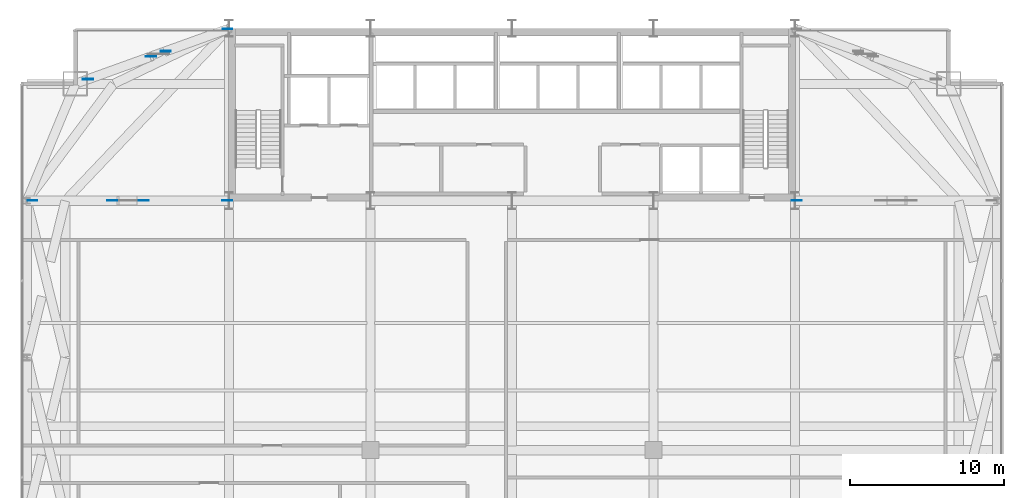
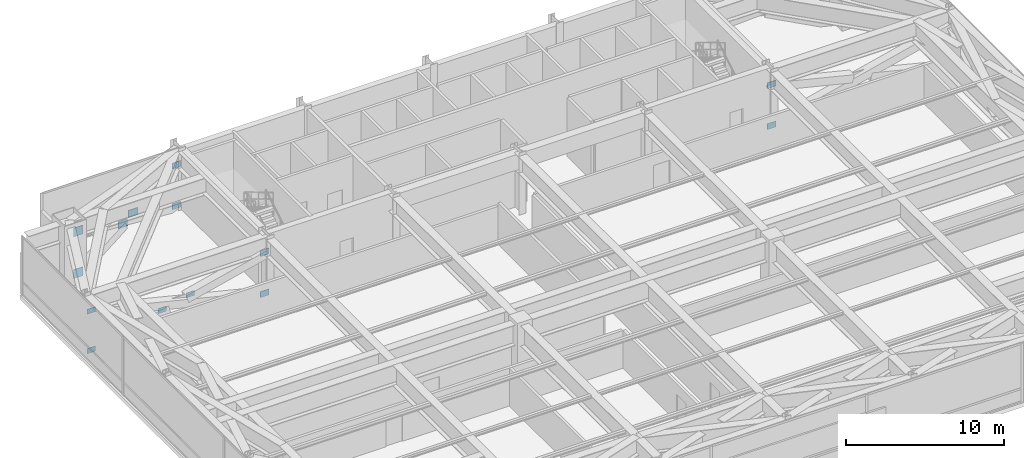
# One storey, part 26 of 30: 14 plates.
"""IFC4 building model written with IfcOpenShell, lengths in metres."""

from ifc_helpers import new_model, si_unit, direction, frame, origin, origin_2d, place, context, subcontext, project, spatial, rectangle, extrude, source, transform, mapped, material, layer, layer_set, type_object, type_shapes, element, save


model = new_model("IFC4")

# Units and contexts
model_context = context("Model", 3, precision=1e-05, world=origin(), true_north=direction((0.0, 1.0)))
body_context = subcontext(model_context, "Body", "Model", "MODEL_VIEW")
ifc_project = project(units=[si_unit("LENGTHUNIT", "METRE"), si_unit("AREAUNIT", "SQUARE_METRE"), si_unit("VOLUMEUNIT", "CUBIC_METRE"), si_unit("PLANEANGLEUNIT", "RADIAN"), si_unit("MASSUNIT", "GRAM", prefix="KILO")], contexts=[model_context])

# Site, building, storey
site_placement = place(None, origin())
site = spatial("IfcSite", under=ifc_project, at=site_placement, CompositionType="ELEMENT")
building_placement = place(site_placement, origin())
building = spatial("IfcBuilding", under=site, at=building_placement, Name="Varnel Quay Broadcast Tower", CompositionType="ELEMENT")
storey_placement = place(building_placement, frame((0.0, 0.0, 82.199951171875)))
storey = spatial("IfcBuildingStorey", under=building, at=storey_placement, Name="L19", CompositionType="ELEMENT", Elevation=82.199951171875)

# Plates
ifc_material = material(Name="Structural Steel CSA G40.21 350WT", Category="steel")
ifc_layer_1 = layer(ifc_material, 0.0400390625, Name="Structural Steel CSA G40.21 350WT")
ifc_layer_set_1 = layer_set([ifc_layer_1], Name="Structural Steel CSA G40.21 350WT")
plate_type_1 = type_object("IfcPlateType", Name="Plate_EmbedPlate", PredefinedType="USERDEFINED", material=ifc_layer_set_1)
shared_shape_1 = source(origin(), body_context, "Body", "SweptSolid", [
    extrude(rectangle(XDim=0.639892578125, YDim=0.0400390625, at=origin_2d()), origin(), (0.0, 0.0, 1.0), 0.449951171875),
])
type_shapes(plate_type_1, [shared_shape_1])
for number, where, z_axis, x_axis, name in (
    (1, (15.492919921875, 46.761474609375, -0.16748046875), (0.0, 0.0, 1.0), (1.0, 0.0, 0.0), "L19 Outrigger NW Diag A Wall Cast-In Embed Plate P0"),
    (2, (15.492919921875, 46.761474609375, 2.9775390625), (0.0, 0.0, 1.0), (1.0, 0.0, 0.0), "L19 Outrigger NW Diag B2 Wall Cast-In Embed Plate P1"),
    (3, (15.4833984375, 35.60009765625, -0.17626953125), (0.0, 0.0, 1.0), (1.0, 0.0, 0.0), "L19 Outrigger W Diag A Wall Cast-In Embed Plate P0"),
    (4, (15.4833984375, 35.60009765625, 2.98681640625), (0.0, 0.0, 1.0), (1.0, 0.0, 0.0), "L19 Outrigger W Diag B2 Wall Cast-In Embed Plate P1"),
    (5, (52.5166015625, 35.60009765625, -0.17626953125), (0.0, 0.0, 1.0), (1.0, 0.0, 0.0), "L19 Outrigger E Diag A Wall Cast-In Embed Plate P0"),
    (6, (52.5166015625, 35.60009765625, 2.98681640625), (0.0, 0.0, 1.0), (1.0, 0.0, 0.0), "L19 Outrigger E Diag B2 Wall Cast-In Embed Plate P1"),
):
    element("IfcPlate", number, at=place(storey_placement, frame(where, z_axis=z_axis, x_axis=x_axis)), inside=storey, type_object=plate_type_1, Name=name, ObjectType="EMBED_PLATE", PredefinedType="USERDEFINED", context=body_context, shape_type="MappedRepresentation", body=[
        mapped(shared_shape_1, transform((0.0, 0.0, 0.0), x_axis=(1.0, 0.0, 0.0), y_axis=(0.0, 1.0, 0.0), z_axis=(0.0, 0.0, 1.0), scale=1.0)),
    ])
ifc_layer_2 = layer(ifc_material, 0.031982421875, Name="Structural Steel CSA G40.21 350WT")
ifc_layer_set_2 = layer_set([ifc_layer_2], Name="Structural Steel CSA G40.21 350WT")
plate_type_2 = type_object("IfcPlateType", Name="Plate_EndCap", PredefinedType="USERDEFINED", material=ifc_layer_set_2)
shared_shape_2 = source(origin(), body_context, "Body", "SweptSolid", [
    extrude(rectangle(XDim=0.679931640625, YDim=0.0400390625, at=origin_2d()), origin(), (0.0, 0.0, 1.0), 0.679931640625),
])
for number, where, z_axis, x_axis, name in (
    (7, (6.4140625, 43.4931640625, 2.89990234375), (0.0, 0.0, 1.0), (1.0, 0.0, 0.0), "L19 Outrigger NW Diag A End Connection Plate P1"),
    (8, (6.4140625, 43.4931640625, -0.31982421875), (0.0, 0.0, 1.0), (1.0, 0.0, 0.0), "L19 Outrigger NW Diag B1 End Connection Plate P0"),
):
    element("IfcPlate", number, at=place(storey_placement, frame(where, z_axis=z_axis, x_axis=x_axis)), inside=storey, type_object=plate_type_2, Name=name, ObjectType="CAP_PLATE", PredefinedType="USERDEFINED", context=body_context, shape_type="MappedRepresentation", body=[
        mapped(shared_shape_2, transform((0.0, 0.0, 0.0), x_axis=(1.0, 0.0, 0.0), y_axis=(0.0, 1.0, 0.0), z_axis=(0.0, 0.0, 1.0), scale=1.0)),
    ])
shared_shape_3 = source(origin(), body_context, "Body", "SweptSolid", [
    extrude(rectangle(XDim=0.679931640625, YDim=0.0400390625, at=origin_2d()), origin(), (0.0, 0.0, 1.0), 0.56005859375),
])
for number, where, z_axis, x_axis, name in (
    (9, (10.533935546875, 44.976318359375, 1.184326171875), (0.0, 0.0, 1.0), (1.0, 0.0, 0.0), "L19 Outrigger NW Diag B1 End Connection Plate P1"),
    (10, (11.47998046875, 45.31689453125, 1.515869140625), (0.0, 0.0, 1.0), (1.0, 0.0, 0.0), "L19 Outrigger NW Diag B2 End Connection Plate P0"),
):
    element("IfcPlate", number, at=place(storey_placement, frame(where, z_axis=z_axis, x_axis=x_axis)), inside=storey, type_object=plate_type_2, Name=name, ObjectType="CAP_PLATE", PredefinedType="USERDEFINED", context=body_context, shape_type="MappedRepresentation", body=[
        mapped(shared_shape_3, transform((0.0, 0.0, 0.0), x_axis=(1.0, 0.0, 0.0), y_axis=(0.0, 1.0, 0.0), z_axis=(0.0, 0.0, 1.0), scale=1.0)),
    ])
shared_shape_4 = source(origin(), body_context, "Body", "SweptSolid", [
    extrude(rectangle(XDim=0.6201171875, YDim=0.031982421875, at=origin_2d()), origin(), (0.0, 0.0, 1.0), 0.3798828125),
])
type_shapes(plate_type_2, [shared_shape_2, shared_shape_3, shared_shape_4])
for number, where, z_axis, x_axis, name in (
    (11, (2.819091796875, 35.60009765625, 2.959716796875), (0.0, 0.0, 1.0), (1.0, 0.0, 0.0), "L19 Outrigger W Diag A End Connection Plate P1"),
    (12, (2.819091796875, 35.60009765625, -0.07958984375), (0.0, 0.0, 1.0), (1.0, 0.0, 0.0), "L19 Outrigger W Diag B1 End Connection Plate P0"),
    (13, (8.0009765625, 35.60009765625, 1.189208984375), (0.0, 0.0, 1.0), (1.0, 0.0, 0.0), "L19 Outrigger W Diag B1 End Connection Plate P1"),
    (14, (10.049072265625, 35.60009765625, 1.69091796875), (0.0, 0.0, 1.0), (1.0, 0.0, 0.0), "L19 Outrigger W Diag B2 End Connection Plate P0"),
):
    element("IfcPlate", number, at=place(storey_placement, frame(where, z_axis=z_axis, x_axis=x_axis)), inside=storey, type_object=plate_type_2, Name=name, ObjectType="CAP_PLATE", PredefinedType="USERDEFINED", context=body_context, shape_type="MappedRepresentation", body=[
        mapped(shared_shape_4, transform((0.0, 0.0, 0.0), x_axis=(1.0, 0.0, 0.0), y_axis=(0.0, 1.0, 0.0), z_axis=(0.0, 0.0, 1.0), scale=1.0)),
    ])

save(model, "model.ifc")
